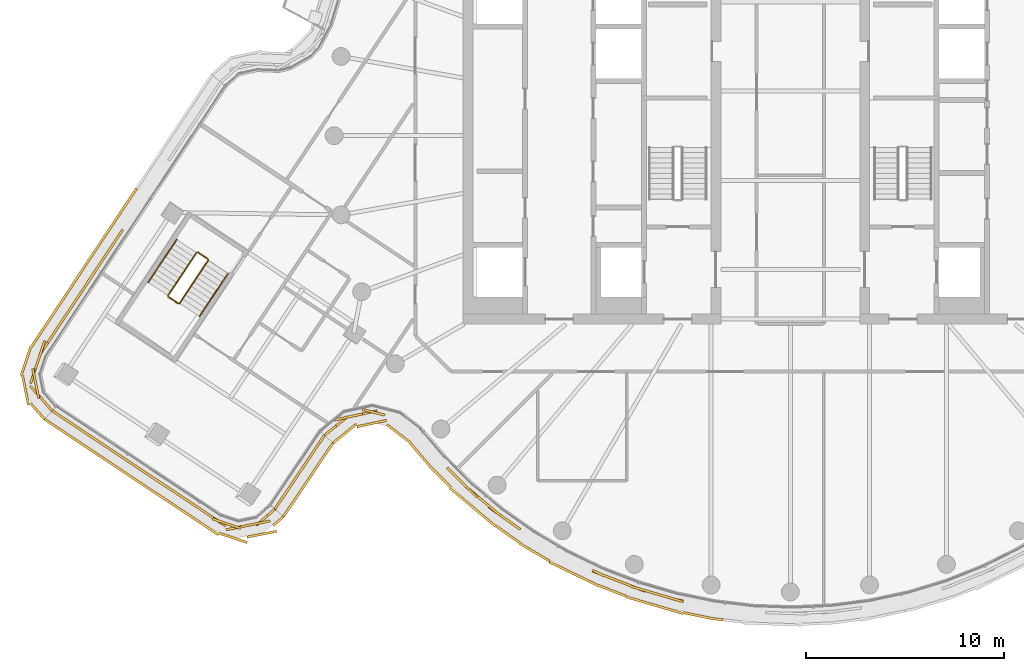
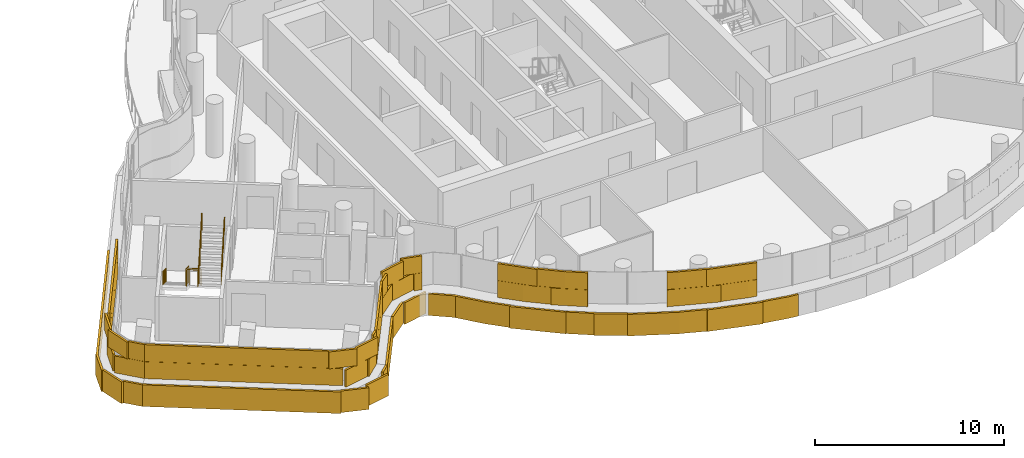
# One storey, part 22 of 27: 6 railings, 5 coverings.
"""IFC4 building model written with IfcOpenShell, lengths in metres."""

from ifc_helpers import new_model, si_unit, direction, frame, origin, origin_2d, place, context, subcontext, project, spatial, rectangle, circle, extrude, material, layer, layer_set, type_object, element, save


model = new_model("IFC4")

# Units and contexts
model_context = context("Model", 3, precision=1e-05, world=origin(), true_north=direction((0.0, 1.0)))
body_context = subcontext(model_context, "Body", "Model", "MODEL_VIEW")
ifc_project = project(units=[si_unit("LENGTHUNIT", "METRE"), si_unit("AREAUNIT", "SQUARE_METRE"), si_unit("VOLUMEUNIT", "CUBIC_METRE"), si_unit("PLANEANGLEUNIT", "RADIAN"), si_unit("MASSUNIT", "GRAM", prefix="KILO")], contexts=[model_context])

# Site, building, storey
site_placement = place(None, origin())
site = spatial("IfcSite", under=ifc_project, at=site_placement, CompositionType="ELEMENT")
building_placement = place(site_placement, origin())
building = spatial("IfcBuilding", under=site, at=building_placement, Name="Tamarind Cross Interchange Tower", CompositionType="ELEMENT")
storey_placement = place(building_placement, frame((0.0, 0.0, 237.89990234375)))
storey = spatial("IfcBuildingStorey", under=building, at=storey_placement, Name="L60", CompositionType="ELEMENT", Elevation=237.89990234375)

# Railings
ifc_material_1 = material(Name="Stair guard")
railing_type_1 = type_object("IfcRailingType", Name="Stair guard", PredefinedType="GUARDRAIL", material=ifc_material_1)
railing_1_placement = place(storey_placement, frame((-29.934814453125, -5.89501953125, 0.163818359375)))
element("IfcRailing", 1, at=railing_1_placement, inside=storey, type_object=railing_type_1, Name="L60 ST5 stair guard 1", PredefinedType="GUARDRAIL", context=body_context, shape_type="SweptSolid", body=[
    extrude(circle(Radius=0.02392578125, at=origin_2d()), frame((0.0, 0.0, 1.076171875), z_axis=(-0.468169597727, -0.705075652866, 0.532621396022), x_axis=(0.833074541168, -0.553160744141, 0.0)), (0.0, 0.0, 1.0), 3.072021484375),
    extrude(circle(Radius=0.02099609375, at=origin_2d()), origin(), (0.0, 0.0, 1.0), 1.052001953125),
    extrude(circle(Radius=0.02099609375, at=origin_2d()), frame((-0.4794921875, -0.721923828125, 0.54541015625)), (0.0, 0.0, 1.0), 1.052001953125),
    extrude(circle(Radius=0.02099609375, at=origin_2d()), frame((-0.958740234375, -1.444091796875, 1.0908203125)), (0.0, 0.0, 1.0), 1.052001953125),
    extrude(circle(Radius=0.02099609375, at=origin_2d()), frame((-1.438232421875, -2.166015625, 1.63623046875)), (0.0, 0.0, 1.0), 1.052001953125),
])
railing_2_placement = place(storey_placement, frame((-31.35888671875, -8.13037109375, 1.800048828125)))
element("IfcRailing", 2, at=railing_2_placement, inside=storey, type_object=railing_type_1, Name="L60 ST5 stair guard 2", PredefinedType="GUARDRAIL", context=body_context, shape_type="SweptSolid", body=[
    extrude(circle(Radius=0.02392578125, at=origin_2d()), frame((0.0, 0.0, 1.076171875), z_axis=(0.833113203736, -0.553102512886, 0.0), x_axis=(0.553102512886, 0.833113203736, 0.0)), (0.0, 0.0, 1.0), 0.599853515625),
    extrude(circle(Radius=0.02099609375, at=origin_2d()), origin(), (0.0, 0.0, 1.0), 1.052001953125),
    extrude(circle(Radius=0.02099609375, at=origin_2d()), frame((0.499755859375, -0.331787109375, 0.0)), (0.0, 0.0, 1.0), 1.052001953125),
])
railing_3_placement = place(storey_placement, frame((-30.789794921875, -8.4482421875, 1.963623046875)))
element("IfcRailing", 3, at=railing_3_placement, inside=storey, type_object=railing_type_1, Name="L60 ST5 stair guard 3", PredefinedType="GUARDRAIL", context=body_context, shape_type="SweptSolid", body=[
    extrude(circle(Radius=0.02392578125, at=origin_2d()), frame((0.0, 0.0, 1.076171875), z_axis=(0.468149780594, 0.705045807745, 0.532678319355), x_axis=(-0.833074541168, 0.553160744141, 0.0)), (0.0, 0.0, 1.0), 3.072265625),
    extrude(circle(Radius=0.02099609375, at=origin_2d()), origin(), (0.0, 0.0, 1.0), 1.052001953125),
    extrude(circle(Radius=0.02099609375, at=origin_2d()), frame((0.4794921875, 0.721923828125, 0.54541015625)), (0.0, 0.0, 1.0), 1.052001953125),
    extrude(circle(Radius=0.02099609375, at=origin_2d()), frame((0.958740234375, 1.444091796875, 1.091064453125)), (0.0, 0.0, 1.0), 1.052001953125),
    extrude(circle(Radius=0.02099609375, at=origin_2d()), frame((1.438232421875, 2.166015625, 1.636474609375)), (0.0, 0.0, 1.0), 1.052001953125),
])
railing_4_placement = place(storey_placement, frame((-29.865478515625, -5.880859375, 0.0)))
element("IfcRailing", 4, at=railing_4_placement, inside=storey, type_object=railing_type_1, Name="L60 ST5 stair guard 4", PredefinedType="GUARDRAIL", context=body_context, shape_type="SweptSolid", body=[
    extrude(circle(Radius=0.02392578125, at=origin_2d()), frame((0.0, 0.0, 1.076171875), z_axis=(0.832925657259, -0.553384901745, 0.0), x_axis=(0.553384901745, 0.832925657259, 0.0)), (0.0, 0.0, 1.0), 0.60009765625),
    extrude(circle(Radius=0.02099609375, at=origin_2d()), origin(), (0.0, 0.0, 1.0), 1.052001953125),
    extrude(circle(Radius=0.02099609375, at=origin_2d()), frame((0.499755859375, -0.33203125, 0.0)), (0.0, 0.0, 1.0), 1.052001953125),
])
ifc_material_2 = material(Name="Stair handrail")
railing_type_2 = type_object("IfcRailingType", Name="Stair handrail", PredefinedType="HANDRAIL", material=ifc_material_2)
railing_5_placement = place(storey_placement, frame((-30.9345703125, -5.231201171875, 0.163818359375)))
element("IfcRailing", 5, at=railing_5_placement, inside=storey, type_object=railing_type_2, Name="L60 ST5 stair handrail 1", PredefinedType="HANDRAIL", context=body_context, shape_type="SweptSolid", body=[
    extrude(circle(Radius=0.02392578125, at=origin_2d()), frame((0.0, 0.0, 0.8759765625), z_axis=(-0.468107541151, -0.705101885414, 0.532641212359), x_axis=(0.833117811927, -0.553095571714, 0.0)), (0.0, 0.0, 1.0), 3.072021484375),
    extrude(circle(Radius=0.02099609375, at=origin_2d()), origin(), (0.0, 0.0, 1.0), 0.851806640625),
    extrude(circle(Radius=0.02099609375, at=origin_2d()), frame((-0.479248046875, -0.721923828125, 0.54541015625)), (0.0, 0.0, 1.0), 0.851806640625),
    extrude(circle(Radius=0.02099609375, at=origin_2d()), frame((-0.958740234375, -1.444091796875, 1.0908203125)), (0.0, 0.0, 1.0), 0.851806640625),
    extrude(circle(Radius=0.02099609375, at=origin_2d()), frame((-1.43798828125, -2.166015625, 1.63623046875)), (0.0, 0.0, 1.0), 0.851806640625),
])
railing_6_placement = place(storey_placement, frame((-29.7900390625, -9.112060546875, 1.963623046875)))
element("IfcRailing", 6, at=railing_6_placement, inside=storey, type_object=railing_type_2, Name="L60 ST5 stair handrail 2", PredefinedType="HANDRAIL", context=body_context, shape_type="SweptSolid", body=[
    extrude(circle(Radius=0.02392578125, at=origin_2d()), frame((0.0, 0.0, 0.8759765625), z_axis=(0.468061497442, 0.705111997759, 0.532668288176), x_axis=(-0.833146535224, 0.553052303896, 0.0)), (0.0, 0.0, 1.0), 3.072265625),
    extrude(circle(Radius=0.02099609375, at=origin_2d()), origin(), (0.0, 0.0, 1.0), 0.851806640625),
    extrude(circle(Radius=0.02099609375, at=origin_2d()), frame((0.479248046875, 0.72216796875, 0.54541015625)), (0.0, 0.0, 1.0), 0.851806640625),
    extrude(circle(Radius=0.02099609375, at=origin_2d()), frame((0.958740234375, 1.444091796875, 1.091064453125)), (0.0, 0.0, 1.0), 0.851806640625),
    extrude(circle(Radius=0.02099609375, at=origin_2d()), frame((1.43798828125, 2.166259765625, 1.636474609375)), (0.0, 0.0, 1.0), 0.851806640625),
])

# Coverings
ifc_material_3 = material(Name="Terracotta", Category="masonry")
ifc_layer = layer(ifc_material_3, 0.1201171875)
ifc_layer_set = layer_set([ifc_layer], Name="Terracotta")
covering_type = type_object("IfcCoveringType", Name="Terracotta baguette screen unit", PredefinedType="MOLDING", material=ifc_layer_set)
covering_1_placement = place(storey_placement, origin())
element("IfcCovering", 7, at=covering_1_placement, inside=storey, type_object=covering_type, Name="SCR-L60-00-00", PredefinedType="MOLDING", context=body_context, shape_type="SweptSolid", body=[
    extrude(rectangle(XDim=1.510009765625, YDim=0.1201171875, at=origin_2d()), frame((-36.594970703125, -14.27783203125, 1.404296875), z_axis=(0.0, 0.0, 1.0), x_axis=(0.833106637229, -0.55311240359, 0.0)), (0.0, 0.0, 1.0), 1.092041015625),
    extrude(rectangle(XDim=1.52001953125, YDim=0.1201171875, at=origin_2d()), frame((-35.34521484375, -15.107666015625, 1.404296875), z_axis=(0.0, 0.0, 1.0), x_axis=(0.833106637229, -0.55311240359, 0.0)), (0.0, 0.0, 1.0), 1.092041015625),
    extrude(rectangle(XDim=1.52001953125, YDim=0.1201171875, at=origin_2d()), frame((-34.095703125, -15.937255859375, 1.404296875), z_axis=(0.0, 0.0, 1.0), x_axis=(0.833106637229, -0.55311240359, 0.0)), (0.0, 0.0, 1.0), 1.092041015625),
    extrude(rectangle(XDim=1.52001953125, YDim=0.1201171875, at=origin_2d()), frame((-32.845947265625, -16.766845703125, 1.404296875), z_axis=(0.0, 0.0, 1.0), x_axis=(0.833106637229, -0.55311240359, 0.0)), (0.0, 0.0, 1.0), 1.092041015625),
    extrude(rectangle(XDim=1.52001953125, YDim=0.1201171875, at=origin_2d()), frame((-31.59619140625, -17.5966796875, 1.404296875), z_axis=(0.0, 0.0, 1.0), x_axis=(0.833106637229, -0.55311240359, 0.0)), (0.0, 0.0, 1.0), 1.092041015625),
    extrude(rectangle(XDim=1.52001953125, YDim=0.1201171875, at=origin_2d()), frame((-30.3466796875, -18.42626953125, 1.404296875), z_axis=(0.0, 0.0, 1.0), x_axis=(0.833106637229, -0.55311240359, 0.0)), (0.0, 0.0, 1.0), 1.092041015625),
    extrude(rectangle(XDim=1.52001953125, YDim=0.1201171875, at=origin_2d()), frame((-29.096923828125, -19.255859375, 1.404296875), z_axis=(0.0, 0.0, 1.0), x_axis=(0.833106637229, -0.55311240359, 0.0)), (0.0, 0.0, 1.0), 1.092041015625),
    extrude(rectangle(XDim=1.52001953125, YDim=0.1201171875, at=origin_2d()), frame((-27.70166015625, -19.718017578125, 1.404296875), z_axis=(0.0, 0.0, 1.0), x_axis=(0.980204883973, 0.197985821299, 0.0)), (0.0, 0.0, 1.0), 1.092041015625),
    extrude(rectangle(XDim=1.259521484375, YDim=0.1201171875, at=origin_2d()), frame((-26.456787109375, -19.239013671875, 1.404296875), z_axis=(0.0, 0.0, 1.0), x_axis=(0.749889419785, 0.66156319282, 0.0)), (0.0, 0.0, 1.0), 1.092041015625),
    extrude(rectangle(XDim=0.760009765625, YDim=0.1201171875, at=origin_2d()), frame((-36.907470703125, -14.070556640625, 2.50390625), z_axis=(0.0, 0.0, 1.0), x_axis=(0.833106637229, -0.55311240359, 0.0)), (0.0, 0.0, 1.0), 1.092041015625),
    extrude(rectangle(XDim=1.52001953125, YDim=0.1201171875, at=origin_2d()), frame((-35.97021484375, -14.692626953125, 2.50390625), z_axis=(0.0, 0.0, 1.0), x_axis=(0.833106637229, -0.55311240359, 0.0)), (0.0, 0.0, 1.0), 1.092041015625),
    extrude(rectangle(XDim=1.52001953125, YDim=0.1201171875, at=origin_2d()), frame((-34.720458984375, -15.5224609375, 2.50390625), z_axis=(0.0, 0.0, 1.0), x_axis=(0.833106637229, -0.55311240359, 0.0)), (0.0, 0.0, 1.0), 1.092041015625),
    extrude(rectangle(XDim=1.52001953125, YDim=0.1201171875, at=origin_2d()), frame((-33.470703125, -16.35205078125, 2.50390625), z_axis=(0.0, 0.0, 1.0), x_axis=(0.833106637229, -0.55311240359, 0.0)), (0.0, 0.0, 1.0), 1.092041015625),
    extrude(rectangle(XDim=1.52001953125, YDim=0.1201171875, at=origin_2d()), frame((-32.22119140625, -17.181640625, 2.50390625), z_axis=(0.0, 0.0, 1.0), x_axis=(0.833106637229, -0.55311240359, 0.0)), (0.0, 0.0, 1.0), 1.092041015625),
    extrude(rectangle(XDim=1.52001953125, YDim=0.1201171875, at=origin_2d()), frame((-30.971435546875, -18.011474609375, 2.50390625), z_axis=(0.0, 0.0, 1.0), x_axis=(0.833106637229, -0.55311240359, 0.0)), (0.0, 0.0, 1.0), 1.092041015625),
    extrude(rectangle(XDim=1.52001953125, YDim=0.1201171875, at=origin_2d()), frame((-29.721923828125, -18.841064453125, 2.50390625), z_axis=(0.0, 0.0, 1.0), x_axis=(0.833106637229, -0.55311240359, 0.0)), (0.0, 0.0, 1.0), 1.092041015625),
    extrude(rectangle(XDim=1.52001953125, YDim=0.1201171875, at=origin_2d()), frame((-28.41748046875, -19.55908203125, 2.50390625), z_axis=(0.0, 0.0, 1.0), x_axis=(0.947875241084, -0.318641691153, 0.0)), (0.0, 0.0, 1.0), 1.092041015625),
    extrude(rectangle(XDim=1.52001953125, YDim=0.1201171875, at=origin_2d()), frame((-26.96630859375, -19.5693359375, 2.50390625), z_axis=(0.0, 0.0, 1.0), x_axis=(0.980204883973, 0.197985821299, 0.0)), (0.0, 0.0, 1.0), 1.092041015625),
    extrude(rectangle(XDim=0.509521484375, YDim=0.1201171875, at=origin_2d()), frame((-26.175537109375, -18.99072265625, 2.50390625), z_axis=(0.0, 0.0, 1.0), x_axis=(0.749889419785, 0.66156319282, 0.0)), (0.0, 0.0, 1.0), 1.092041015625),
    extrude(rectangle(XDim=1.510009765625, YDim=0.1201171875, at=origin_2d()), frame((-36.97119140625, -14.717041015625, 0.004150390625), z_axis=(0.0, 0.0, 1.0), x_axis=(0.833106637229, -0.55311240359, 0.0)), (0.0, 0.0, 1.0), 1.39208984375),
    extrude(rectangle(XDim=1.52001953125, YDim=0.1201171875, at=origin_2d()), frame((-35.725830078125, -15.5439453125, 0.004150390625), z_axis=(0.0, 0.0, 1.0), x_axis=(0.833106637229, -0.55311240359, 0.0)), (0.0, 0.0, 1.0), 1.39208984375),
    extrude(rectangle(XDim=1.52001953125, YDim=0.1201171875, at=origin_2d()), frame((-34.47607421875, -16.37353515625, 0.004150390625), z_axis=(0.0, 0.0, 1.0), x_axis=(0.833106637229, -0.55311240359, 0.0)), (0.0, 0.0, 1.0), 1.39208984375),
    extrude(rectangle(XDim=1.52001953125, YDim=0.1201171875, at=origin_2d()), frame((-33.226318359375, -17.203369140625, 0.004150390625), z_axis=(0.0, 0.0, 1.0), x_axis=(0.833106637229, -0.55311240359, 0.0)), (0.0, 0.0, 1.0), 1.39208984375),
    extrude(rectangle(XDim=1.52001953125, YDim=0.1201171875, at=origin_2d()), frame((-31.976806640625, -18.032958984375, 0.004150390625), z_axis=(0.0, 0.0, 1.0), x_axis=(0.833106637229, -0.55311240359, 0.0)), (0.0, 0.0, 1.0), 1.39208984375),
    extrude(rectangle(XDim=1.52001953125, YDim=0.1201171875, at=origin_2d()), frame((-30.72705078125, -18.862548828125, 0.004150390625), z_axis=(0.0, 0.0, 1.0), x_axis=(0.833106637229, -0.55311240359, 0.0)), (0.0, 0.0, 1.0), 1.39208984375),
    extrude(rectangle(XDim=1.52001953125, YDim=0.1201171875, at=origin_2d()), frame((-29.4775390625, -19.6923828125, 0.004150390625), z_axis=(0.0, 0.0, 1.0), x_axis=(0.833106637229, -0.55311240359, 0.0)), (0.0, 0.0, 1.0), 1.39208984375),
    extrude(rectangle(XDim=1.52001953125, YDim=0.1201171875, at=origin_2d()), frame((-28.104248046875, -20.27001953125, 0.004150390625), z_axis=(0.0, 0.0, 1.0), x_axis=(0.947875241084, -0.318641691153, 0.0)), (0.0, 0.0, 1.0), 1.39208984375),
    extrude(rectangle(XDim=1.52001953125, YDim=0.1201171875, at=origin_2d()), frame((-26.641357421875, -20.08935546875, 0.004150390625), z_axis=(0.0, 0.0, 1.0), x_axis=(0.980204883973, 0.197985821299, 0.0)), (0.0, 0.0, 1.0), 1.39208984375),
    extrude(rectangle(XDim=0.675048828125, YDim=0.1201171875, at=origin_2d()), frame((-25.806396484375, -19.430419921875, 0.004150390625), z_axis=(0.0, 0.0, 1.0), x_axis=(0.749889419785, 0.66156319282, 0.0)), (0.0, 0.0, 1.0), 1.39208984375),
])
covering_2_placement = place(storey_placement, origin())
element("IfcCovering", 8, at=covering_2_placement, inside=storey, type_object=covering_type, Name="SCR-L60-01-00", PredefinedType="MOLDING", context=body_context, shape_type="SweptSolid", body=[
    extrude(rectangle(XDim=1.510009765625, YDim=0.1201171875, at=origin_2d()), frame((-25.56982421875, -18.203369140625, 1.404296875), z_axis=(0.0, 0.0, 1.0), x_axis=(0.558047695551, 0.829808875278, 0.0)), (0.0, 0.0, 1.0), 1.092041015625),
    extrude(rectangle(XDim=1.52001953125, YDim=0.1201171875, at=origin_2d()), frame((-24.732666015625, -16.95849609375, 1.404296875), z_axis=(0.0, 0.0, 1.0), x_axis=(0.558047695551, 0.829808875278, 0.0)), (0.0, 0.0, 1.0), 1.092041015625),
    extrude(rectangle(XDim=1.490966796875, YDim=0.1201171875, at=origin_2d()), frame((-23.90087890625, -15.7216796875, 1.404296875), z_axis=(0.0, 0.0, 1.0), x_axis=(0.558047695551, 0.829808875278, 0.0)), (0.0, 0.0, 1.0), 1.092041015625),
    extrude(rectangle(XDim=0.760009765625, YDim=0.1201171875, at=origin_2d()), frame((-25.779052734375, -18.514404296875, 2.50390625), z_axis=(0.0, 0.0, 1.0), x_axis=(0.558047695551, 0.829808875278, 0.0)), (0.0, 0.0, 1.0), 1.092041015625),
    extrude(rectangle(XDim=1.52001953125, YDim=0.1201171875, at=origin_2d()), frame((-25.1513671875, -17.580810546875, 2.50390625), z_axis=(0.0, 0.0, 1.0), x_axis=(0.558047695551, 0.829808875278, 0.0)), (0.0, 0.0, 1.0), 1.092041015625),
    extrude(rectangle(XDim=1.52001953125, YDim=0.1201171875, at=origin_2d()), frame((-24.314208984375, -16.336181640625, 2.50390625), z_axis=(0.0, 0.0, 1.0), x_axis=(0.558047695551, 0.829808875278, 0.0)), (0.0, 0.0, 1.0), 1.092041015625),
    extrude(rectangle(XDim=0.740966796875, YDim=0.1201171875, at=origin_2d()), frame((-23.691650390625, -15.410400390625, 2.50390625), z_axis=(0.0, 0.0, 1.0), x_axis=(0.558047695551, 0.829808875278, 0.0)), (0.0, 0.0, 1.0), 1.092041015625),
    extrude(rectangle(XDim=1.510009765625, YDim=0.1201171875, at=origin_2d()), frame((-25.1318359375, -18.580810546875, 0.004150390625), z_axis=(0.0, 0.0, 1.0), x_axis=(0.558047695551, 0.829808875278, 0.0)), (0.0, 0.0, 1.0), 1.39208984375),
    extrude(rectangle(XDim=1.52001953125, YDim=0.1201171875, at=origin_2d()), frame((-24.297607421875, -17.340087890625, 0.004150390625), z_axis=(0.0, 0.0, 1.0), x_axis=(0.558047695551, 0.829808875278, 0.0)), (0.0, 0.0, 1.0), 1.39208984375),
    extrude(rectangle(XDim=1.479248046875, YDim=0.1201171875, at=origin_2d()), frame((-23.471923828125, -16.1123046875, 0.004150390625), z_axis=(0.0, 0.0, 1.0), x_axis=(0.558047695551, 0.829808875278, 0.0)), (0.0, 0.0, 1.0), 1.39208984375),
])
covering_3_placement = place(storey_placement, origin())
element("IfcCovering", 9, at=covering_3_placement, inside=storey, type_object=covering_type, Name="SCR-L60-02-00", PredefinedType="MOLDING", context=body_context, shape_type="SweptSolid", body=[
    extrude(rectangle(XDim=1.510009765625, YDim=0.1201171875, at=origin_2d()), frame((-22.90576171875, -14.634033203125, 1.404296875), z_axis=(0.0, 0.0, 1.0), x_axis=(0.776009539474, 0.630721170285, 0.0)), (0.0, 0.0, 1.0), 1.092041015625),
    extrude(rectangle(XDim=1.52001953125, YDim=0.1201171875, at=origin_2d()), frame((-21.578125, -14.0283203125, 1.404296875), z_axis=(0.0, 0.0, 1.0), x_axis=(0.977354878276, 0.211606809698, 0.0)), (0.0, 0.0, 1.0), 1.092041015625),
    extrude(rectangle(XDim=0.42333984375, YDim=0.1201171875, at=origin_2d()), frame((-20.64697265625, -14.03466796875, 1.404296875), z_axis=(0.0, 0.0, 1.0), x_axis=(0.968918753269, -0.247379161538, 0.0)), (0.0, 0.0, 1.0), 1.092041015625),
    extrude(rectangle(XDim=1.396728515625, YDim=0.1201171875, at=origin_2d()), frame((-16.8125, -17.2197265625, 1.404296875), z_axis=(0.0, 0.0, 1.0), x_axis=(0.710143317658, -0.704057148523, 0.0)), (0.0, 0.0, 1.0), 1.092041015625),
    extrude(rectangle(XDim=1.52001953125, YDim=0.1201171875, at=origin_2d()), frame((-15.752197265625, -18.197265625, 1.404296875), z_axis=(0.0, 0.0, 1.0), x_axis=(0.765858396687, -0.643009266048, 0.0)), (0.0, 0.0, 1.0), 1.092041015625),
    extrude(rectangle(XDim=1.52001953125, YDim=0.1201171875, at=origin_2d()), frame((-14.596435546875, -19.152587890625, 1.404296875), z_axis=(0.0, 0.0, 1.0), x_axis=(0.816341886298, -0.577568978284, 0.0)), (0.0, 0.0, 1.0), 1.092041015625),
    extrude(rectangle(XDim=0.45556640625, YDim=0.1201171875, at=origin_2d()), frame((-13.80224609375, -19.71435546875, 1.404296875), z_axis=(0.0, 0.0, 1.0), x_axis=(0.816341886298, -0.577568978284, 0.0)), (0.0, 0.0, 1.0), 1.092041015625),
    extrude(rectangle(XDim=0.760009765625, YDim=0.1201171875, at=origin_2d()), frame((-23.19677734375, -14.87060546875, 2.50390625), z_axis=(0.0, 0.0, 1.0), x_axis=(0.776009539474, 0.630721170285, 0.0)), (0.0, 0.0, 1.0), 1.092041015625),
    extrude(rectangle(XDim=1.52001953125, YDim=0.1201171875, at=origin_2d()), frame((-22.311279296875, -14.18701171875, 2.50390625), z_axis=(0.0, 0.0, 1.0), x_axis=(0.977354878276, 0.211606809698, 0.0)), (0.0, 0.0, 1.0), 1.092041015625),
    extrude(rectangle(XDim=1.17333984375, YDim=0.1201171875, at=origin_2d()), frame((-21.010498046875, -13.94189453125, 2.50390625), z_axis=(0.0, 0.0, 1.0), x_axis=(0.968918753269, -0.247379161538, 0.0)), (0.0, 0.0, 1.0), 1.092041015625),
    extrude(rectangle(XDim=0.646728515625, YDim=0.1201171875, at=origin_2d()), frame((-17.078857421875, -16.955810546875, 2.50390625), z_axis=(0.0, 0.0, 1.0), x_axis=(0.710143317658, -0.704057148523, 0.0)), (0.0, 0.0, 1.0), 1.092041015625),
    extrude(rectangle(XDim=1.52001953125, YDim=0.1201171875, at=origin_2d()), frame((-16.320068359375, -17.7080078125, 2.50390625), z_axis=(0.0, 0.0, 1.0), x_axis=(0.710143317658, -0.704057148523, 0.0)), (0.0, 0.0, 1.0), 1.092041015625),
    extrude(rectangle(XDim=1.52001953125, YDim=0.1201171875, at=origin_2d()), frame((-15.177978515625, -18.6796875, 2.50390625), z_axis=(0.0, 0.0, 1.0), x_axis=(0.765858396687, -0.643009266048, 0.0)), (0.0, 0.0, 1.0), 1.092041015625),
    extrude(rectangle(XDim=1.20556640625, YDim=0.1201171875, at=origin_2d()), frame((-14.1083984375, -19.497802734375, 2.50390625), z_axis=(0.0, 0.0, 1.0), x_axis=(0.816341886298, -0.577568978284, 0.0)), (0.0, 0.0, 1.0), 1.092041015625),
    extrude(rectangle(XDim=1.510009765625, YDim=0.1201171875, at=origin_2d()), frame((-22.473388671875, -15.0224609375, 0.004150390625), z_axis=(0.0, 0.0, 1.0), x_axis=(0.776009539474, 0.630721170285, 0.0)), (0.0, 0.0, 1.0), 1.39208984375),
    extrude(rectangle(XDim=1.52001953125, YDim=0.1201171875, at=origin_2d()), frame((-21.10498046875, -14.51318359375, 0.004150390625), z_axis=(0.0, 0.0, 1.0), x_axis=(0.977354878276, 0.211606809698, 0.0)), (0.0, 0.0, 1.0), 1.39208984375),
    extrude(rectangle(XDim=1.52001953125, YDim=0.1201171875, at=origin_2d()), frame((-19.727783203125, -15.037841796875, 0.004150390625), z_axis=(0.0, 0.0, 1.0), x_axis=(0.791440534199, -0.611246170398, 0.0)), (0.0, 0.0, 1.0), 1.39208984375),
    extrude(rectangle(XDim=1.52001953125, YDim=0.1201171875, at=origin_2d()), frame((-18.6650390625, -16.08544921875, 0.004150390625), z_axis=(0.0, 0.0, 1.0), x_axis=(0.649843800551, -0.760067783087, 0.0)), (0.0, 0.0, 1.0), 1.39208984375),
    extrude(rectangle(XDim=1.52001953125, YDim=0.1201171875, at=origin_2d()), frame((-17.655029296875, -17.19287109375, 0.004150390625), z_axis=(0.0, 0.0, 1.0), x_axis=(0.710143317658, -0.704057148523, 0.0)), (0.0, 0.0, 1.0), 1.39208984375),
    extrude(rectangle(XDim=1.52001953125, YDim=0.1201171875, at=origin_2d()), frame((-16.587158203125, -18.245849609375, 0.004150390625), z_axis=(0.0, 0.0, 1.0), x_axis=(0.765858396687, -0.643009266048, 0.0)), (0.0, 0.0, 1.0), 1.39208984375),
    extrude(rectangle(XDim=1.52001953125, YDim=0.1201171875, at=origin_2d()), frame((-15.438232421875, -19.21044921875, 0.004150390625), z_axis=(0.0, 0.0, 1.0), x_axis=(0.765858396687, -0.643009266048, 0.0)), (0.0, 0.0, 1.0), 1.39208984375),
    extrude(rectangle(XDim=1.52001953125, YDim=0.1201171875, at=origin_2d()), frame((-14.238525390625, -20.10888671875, 0.004150390625), z_axis=(0.0, 0.0, 1.0), x_axis=(0.816341886298, -0.577568978284, 0.0)), (0.0, 0.0, 1.0), 1.39208984375),
    extrude(rectangle(XDim=1.52001953125, YDim=0.1201171875, at=origin_2d()), frame((-12.992919921875, -20.9423828125, 0.004150390625), z_axis=(0.0, 0.0, 1.0), x_axis=(0.861248933065, -0.508183308752, 0.0)), (0.0, 0.0, 1.0), 1.39208984375),
    extrude(rectangle(XDim=0.26953125, YDim=0.1201171875, at=origin_2d()), frame((-12.239501953125, -21.386962890625, 0.004150390625), z_axis=(0.0, 0.0, 1.0), x_axis=(0.861248933065, -0.508183308752, 0.0)), (0.0, 0.0, 1.0), 1.39208984375),
])
covering_4_placement = place(storey_placement, origin())
element("IfcCovering", 10, at=covering_4_placement, inside=storey, type_object=covering_type, Name="SCR-L60-02-01", PredefinedType="MOLDING", context=body_context, shape_type="SweptSolid", body=[
    extrude(rectangle(XDim=1.3642578125, YDim=0.1201171875, at=origin_2d()), frame((-9.35400390625, -22.185791015625, 1.404296875), z_axis=(0.0, 0.0, 1.0), x_axis=(0.933146843667, -0.359495435512, 0.0)), (0.0, 0.0, 1.0), 1.092041015625),
    extrude(rectangle(XDim=1.52001953125, YDim=0.1201171875, at=origin_2d()), frame((-8.022216796875, -22.698974609375, 1.404296875), z_axis=(0.0, 0.0, 1.0), x_axis=(0.933146843667, -0.359495435512, 0.0)), (0.0, 0.0, 1.0), 1.092041015625),
    extrude(rectangle(XDim=1.52001953125, YDim=0.1201171875, at=origin_2d()), frame((-6.59130859375, -23.14599609375, 1.404296875), z_axis=(0.0, 0.0, 1.0), x_axis=(0.95964657186, -0.281208920763, 0.0)), (0.0, 0.0, 1.0), 1.092041015625),
    extrude(rectangle(XDim=0.498046875, YDim=0.1201171875, at=origin_2d()), frame((-5.6337890625, -23.410888671875, 1.404296875), z_axis=(0.0, 0.0, 1.0), x_axis=(0.9795909409, -0.201001463943, 0.0)), (0.0, 0.0, 1.0), 1.092041015625),
    extrude(rectangle(XDim=0.6142578125, YDim=0.1201171875, at=origin_2d()), frame((-9.69970703125, -22.041015625, 2.50390625), z_axis=(0.0, 0.0, 1.0), x_axis=(0.900272776334, -0.435326231914, 0.0)), (0.0, 0.0, 1.0), 1.092041015625),
    extrude(rectangle(XDim=1.52001953125, YDim=0.1201171875, at=origin_2d()), frame((-8.72216796875, -22.429443359375, 2.50390625), z_axis=(0.0, 0.0, 1.0), x_axis=(0.933146843667, -0.359495435512, 0.0)), (0.0, 0.0, 1.0), 1.092041015625),
    extrude(rectangle(XDim=1.52001953125, YDim=0.1201171875, at=origin_2d()), frame((-7.31103515625, -22.93505859375, 2.50390625), z_axis=(0.0, 0.0, 1.0), x_axis=(0.95964657186, -0.281208920763, 0.0)), (0.0, 0.0, 1.0), 1.092041015625),
    extrude(rectangle(XDim=1.248046875, YDim=0.1201171875, at=origin_2d()), frame((-5.997314453125, -23.320068359375, 2.50390625), z_axis=(0.0, 0.0, 1.0), x_axis=(0.95964657186, -0.281208920763, 0.0)), (0.0, 0.0, 1.0), 1.092041015625),
    extrude(rectangle(XDim=1.25048828125, YDim=0.1201171875, at=origin_2d()), frame((-11.582275390625, -21.768310546875, 0.004150390625), z_axis=(0.0, 0.0, 1.0), x_axis=(0.900272776334, -0.435326231914, 0.0)), (0.0, 0.0, 1.0), 1.39208984375),
    extrude(rectangle(XDim=1.52001953125, YDim=0.1201171875, at=origin_2d()), frame((-10.353271484375, -22.362548828125, 0.004150390625), z_axis=(0.0, 0.0, 1.0), x_axis=(0.900272776334, -0.435326231914, 0.0)), (0.0, 0.0, 1.0), 1.39208984375),
    extrude(rectangle(XDim=1.52001953125, YDim=0.1201171875, at=origin_2d()), frame((-8.973388671875, -22.94775390625, 0.004150390625), z_axis=(0.0, 0.0, 1.0), x_axis=(0.933146843667, -0.359495435512, 0.0)), (0.0, 0.0, 1.0), 1.39208984375),
    extrude(rectangle(XDim=1.52001953125, YDim=0.1201171875, at=origin_2d()), frame((-7.564208984375, -23.458984375, 0.004150390625), z_axis=(0.0, 0.0, 1.0), x_axis=(0.95964657186, -0.281208920763, 0.0)), (0.0, 0.0, 1.0), 1.39208984375),
    extrude(rectangle(XDim=1.52001953125, YDim=0.1201171875, at=origin_2d()), frame((-6.124755859375, -23.880859375, 0.004150390625), z_axis=(0.0, 0.0, 1.0), x_axis=(0.95964657186, -0.281208920763, 0.0)), (0.0, 0.0, 1.0), 1.39208984375),
    extrude(rectangle(XDim=1.52001953125, YDim=0.1201171875, at=origin_2d()), frame((-4.658935546875, -24.19677734375, 0.004150390625), z_axis=(0.0, 0.0, 1.0), x_axis=(0.9795909409, -0.201001463943, 0.0)), (0.0, 0.0, 1.0), 1.39208984375),
    extrude(rectangle(XDim=0.527587890625, YDim=0.1201171875, at=origin_2d()), frame((-3.671875, -24.37548828125, 0.004150390625), z_axis=(0.0, 0.0, 1.0), x_axis=(0.992843710523, -0.119420963295, 0.0)), (0.0, 0.0, 1.0), 1.39208984375),
])
covering_5_placement = place(storey_placement, origin())
element("IfcCovering", 11, at=covering_5_placement, inside=storey, type_object=covering_type, Name="SCR-L60-07-01", PredefinedType="MOLDING", context=body_context, shape_type="SweptSolid", body=[
    extrude(rectangle(XDim=1.52001953125, YDim=0.1201171875, at=origin_2d()), frame((-34.10986328125, -5.421875, 1.404296875), z_axis=(0.0, 0.0, 1.0), x_axis=(-0.55311240359, -0.833106637229, 0.0)), (0.0, 0.0, 1.0), 1.092041015625),
    extrude(rectangle(XDim=1.52001953125, YDim=0.1201171875, at=origin_2d()), frame((-34.939697265625, -6.671630859375, 1.404296875), z_axis=(0.0, 0.0, 1.0), x_axis=(-0.55311240359, -0.833106637229, 0.0)), (0.0, 0.0, 1.0), 1.092041015625),
    extrude(rectangle(XDim=1.52001953125, YDim=0.1201171875, at=origin_2d()), frame((-35.769287109375, -7.921142578125, 1.404296875), z_axis=(0.0, 0.0, 1.0), x_axis=(-0.55311240359, -0.833106637229, 0.0)), (0.0, 0.0, 1.0), 1.092041015625),
    extrude(rectangle(XDim=1.52001953125, YDim=0.1201171875, at=origin_2d()), frame((-36.598876953125, -9.1708984375, 1.404296875), z_axis=(0.0, 0.0, 1.0), x_axis=(-0.55311240359, -0.833106637229, 0.0)), (0.0, 0.0, 1.0), 1.092041015625),
    extrude(rectangle(XDim=1.52001953125, YDim=0.1201171875, at=origin_2d()), frame((-37.4287109375, -10.42041015625, 1.404296875), z_axis=(0.0, 0.0, 1.0), x_axis=(-0.55311240359, -0.833106637229, 0.0)), (0.0, 0.0, 1.0), 1.092041015625),
    extrude(rectangle(XDim=1.52001953125, YDim=0.1201171875, at=origin_2d()), frame((-38.064697265625, -11.764892578125, 1.404296875), z_axis=(0.0, 0.0, 1.0), x_axis=(-0.318641691153, -0.947875241084, 0.0)), (0.0, 0.0, 1.0), 1.092041015625),
    extrude(rectangle(XDim=1.52001953125, YDim=0.1201171875, at=origin_2d()), frame((-37.8154296875, -13.18798828125, 1.404296875), z_axis=(0.0, 0.0, 1.0), x_axis=(0.66156319282, -0.749889419785, 0.0)), (0.0, 0.0, 1.0), 1.092041015625),
    extrude(rectangle(XDim=0.160400390625, YDim=0.1201171875, at=origin_2d()), frame((-37.26953125, -13.806640625, 1.404296875), z_axis=(0.0, 0.0, 1.0), x_axis=(0.66156319282, -0.749889419785, 0.0)), (0.0, 0.0, 1.0), 1.092041015625),
    extrude(rectangle(XDim=0.8271484375, YDim=0.1201171875, at=origin_2d()), frame((-33.884033203125, -5.08154296875, 2.50390625), z_axis=(0.0, 0.0, 1.0), x_axis=(-0.55311240359, -0.833106637229, 0.0)), (0.0, 0.0, 1.0), 1.092041015625),
    extrude(rectangle(XDim=1.52001953125, YDim=0.1201171875, at=origin_2d()), frame((-34.52490234375, -6.046630859375, 2.50390625), z_axis=(0.0, 0.0, 1.0), x_axis=(-0.55311240359, -0.833106637229, 0.0)), (0.0, 0.0, 1.0), 1.092041015625),
    extrude(rectangle(XDim=1.52001953125, YDim=0.1201171875, at=origin_2d()), frame((-35.3544921875, -7.29638671875, 2.50390625), z_axis=(0.0, 0.0, 1.0), x_axis=(-0.55311240359, -0.833106637229, 0.0)), (0.0, 0.0, 1.0), 1.092041015625),
    extrude(rectangle(XDim=1.52001953125, YDim=0.1201171875, at=origin_2d()), frame((-36.18408203125, -8.5458984375, 2.50390625), z_axis=(0.0, 0.0, 1.0), x_axis=(-0.55311240359, -0.833106637229, 0.0)), (0.0, 0.0, 1.0), 1.092041015625),
    extrude(rectangle(XDim=1.52001953125, YDim=0.1201171875, at=origin_2d()), frame((-37.013916015625, -9.795654296875, 2.50390625), z_axis=(0.0, 0.0, 1.0), x_axis=(-0.55311240359, -0.833106637229, 0.0)), (0.0, 0.0, 1.0), 1.092041015625),
    extrude(rectangle(XDim=1.52001953125, YDim=0.1201171875, at=origin_2d()), frame((-37.82568359375, -11.053955078125, 2.50390625), z_axis=(0.0, 0.0, 1.0), x_axis=(-0.318641691153, -0.947875241084, 0.0)), (0.0, 0.0, 1.0), 1.092041015625),
    extrude(rectangle(XDim=1.52001953125, YDim=0.1201171875, at=origin_2d()), frame((-38.043212890625, -12.4921875, 2.50390625), z_axis=(0.0, 0.0, 1.0), x_axis=(0.197985821299, -0.980204883973, 0.0)), (0.0, 0.0, 1.0), 1.092041015625),
    extrude(rectangle(XDim=0.910400390625, YDim=0.1201171875, at=origin_2d()), frame((-37.517578125, -13.525390625, 2.50390625), z_axis=(0.0, 0.0, 1.0), x_axis=(0.66156319282, -0.749889419785, 0.0)), (0.0, 0.0, 1.0), 1.092041015625),
    extrude(rectangle(XDim=0.61474609375, YDim=0.1201171875, at=origin_2d()), frame((-33.13818359375, -2.92041015625, 0.004150390625), z_axis=(0.0, 0.0, 1.0), x_axis=(-0.55311240359, -0.833106637229, 0.0)), (0.0, 0.0, 1.0), 1.39208984375),
    extrude(rectangle(XDim=1.52001953125, YDim=0.1201171875, at=origin_2d()), frame((-33.717529296875, -3.79296875, 0.004150390625), z_axis=(0.0, 0.0, 1.0), x_axis=(-0.55311240359, -0.833106637229, 0.0)), (0.0, 0.0, 1.0), 1.39208984375),
    extrude(rectangle(XDim=1.52001953125, YDim=0.1201171875, at=origin_2d()), frame((-34.547119140625, -5.042724609375, 0.004150390625), z_axis=(0.0, 0.0, 1.0), x_axis=(-0.55311240359, -0.833106637229, 0.0)), (0.0, 0.0, 1.0), 1.39208984375),
    extrude(rectangle(XDim=1.52001953125, YDim=0.1201171875, at=origin_2d()), frame((-35.376953125, -6.292236328125, 0.004150390625), z_axis=(0.0, 0.0, 1.0), x_axis=(-0.55311240359, -0.833106637229, 0.0)), (0.0, 0.0, 1.0), 1.39208984375),
    extrude(rectangle(XDim=1.52001953125, YDim=0.1201171875, at=origin_2d()), frame((-36.20654296875, -7.5419921875, 0.004150390625), z_axis=(0.0, 0.0, 1.0), x_axis=(-0.55311240359, -0.833106637229, 0.0)), (0.0, 0.0, 1.0), 1.39208984375),
    extrude(rectangle(XDim=1.52001953125, YDim=0.1201171875, at=origin_2d()), frame((-37.0361328125, -8.79150390625, 0.004150390625), z_axis=(0.0, 0.0, 1.0), x_axis=(-0.55311240359, -0.833106637229, 0.0)), (0.0, 0.0, 1.0), 1.39208984375),
    extrude(rectangle(XDim=1.52001953125, YDim=0.1201171875, at=origin_2d()), frame((-37.865966796875, -10.041259765625, 0.004150390625), z_axis=(0.0, 0.0, 1.0), x_axis=(-0.55311240359, -0.833106637229, 0.0)), (0.0, 0.0, 1.0), 1.39208984375),
    extrude(rectangle(XDim=1.52001953125, YDim=0.1201171875, at=origin_2d()), frame((-38.537109375, -11.368408203125, 0.004150390625), z_axis=(0.0, 0.0, 1.0), x_axis=(-0.318641691153, -0.947875241084, 0.0)), (0.0, 0.0, 1.0), 1.39208984375),
    extrude(rectangle(XDim=1.52001953125, YDim=0.1201171875, at=origin_2d()), frame((-38.562744140625, -12.818603515625, 0.004150390625), z_axis=(0.0, 0.0, 1.0), x_axis=(0.197985821299, -0.980204883973, 0.0)), (0.0, 0.0, 1.0), 1.39208984375),
    extrude(rectangle(XDim=1.076416015625, YDim=0.1201171875, at=origin_2d()), frame((-37.956298828125, -13.89599609375, 0.004150390625), z_axis=(0.0, 0.0, 1.0), x_axis=(0.66156319282, -0.749889419785, 0.0)), (0.0, 0.0, 1.0), 1.39208984375),
])

save(model, "model.ifc")
